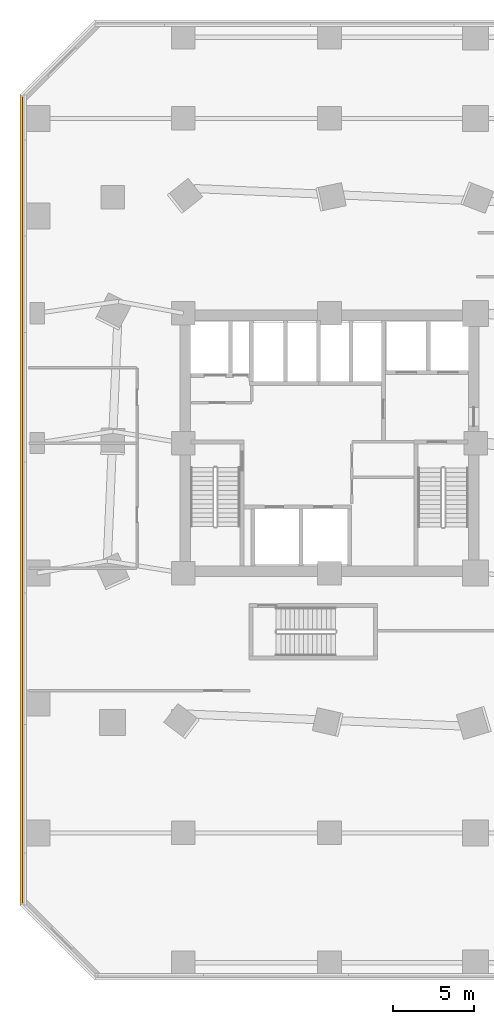
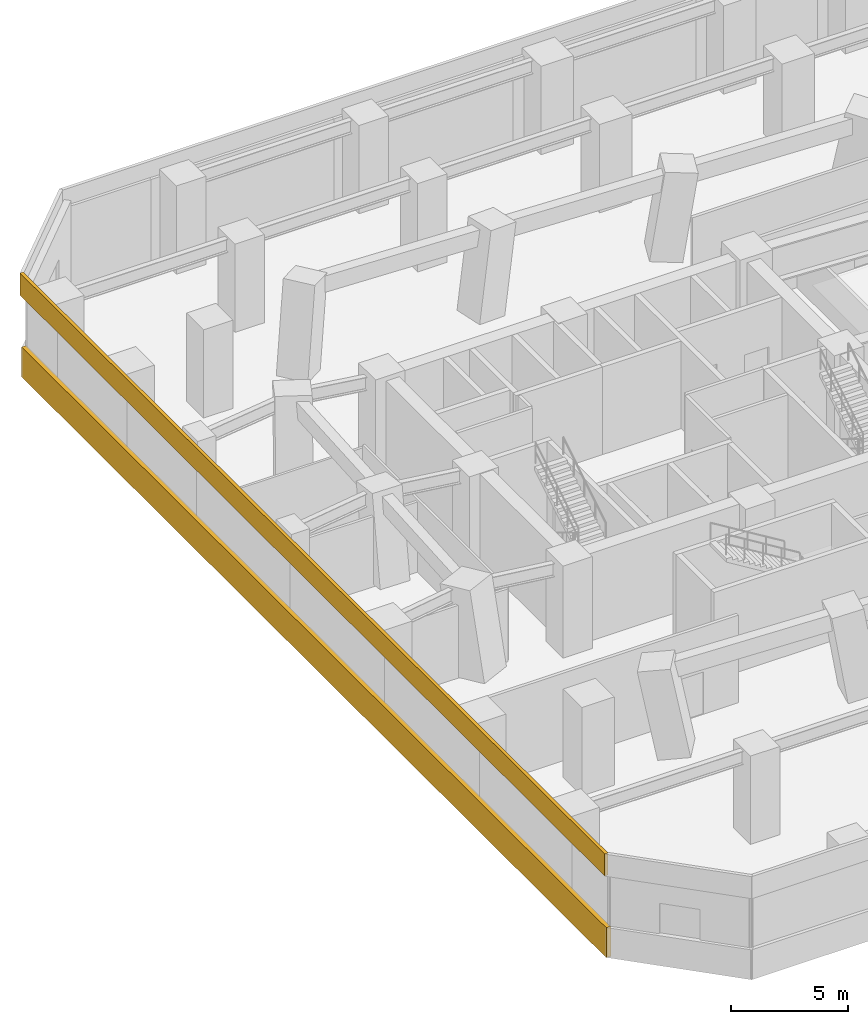
# One storey, part 10 of 14: 2 coverings.
"""IFC4 building model written with IfcOpenShell, lengths in metres."""

from ifc_helpers import new_model, si_unit, direction, frame, origin, origin_2d, place, context, subcontext, project, spatial, rectangle, extrude, source, transform, mapped, material, layer, layer_set, type_object, element, save


model = new_model("IFC4")

# Units and contexts
model_context = context("Model", 3, precision=1e-05, world=origin(), true_north=direction((0.0, 1.0)))
body_context = subcontext(model_context, "Body", "Model", "MODEL_VIEW")
ifc_project = project(units=[si_unit("LENGTHUNIT", "METRE"), si_unit("AREAUNIT", "SQUARE_METRE"), si_unit("VOLUMEUNIT", "CUBIC_METRE"), si_unit("PLANEANGLEUNIT", "RADIAN"), si_unit("MASSUNIT", "GRAM", prefix="KILO")], contexts=[model_context])

# Site, building, storey
site_placement = place(None, origin())
site = spatial("IfcSite", under=ifc_project, at=site_placement, CompositionType="ELEMENT")
building_placement = place(site_placement, origin())
building = spatial("IfcBuilding", under=site, at=building_placement, Name="Torre Montelarca", CompositionType="ELEMENT")
storey_placement = place(building_placement, frame((0.0, 0.0, 28.0)))
storey = spatial("IfcBuildingStorey", under=building, at=storey_placement, Name="L06", CompositionType="ELEMENT", Elevation=28.0)

# Coverings
ifc_material = material(Name="Bush-hammered warm white precast concrete C45/55", Category="concrete")
ifc_layer = layer(ifc_material, 0.139892578125, Name="Bush-hammered warm white precast concrete C45/55", Category="concrete")
ifc_layer_set = layer_set([ifc_layer], Name="Bush-hammered warm white precast concrete C45/55")
covering_type = type_object("IfcCoveringType", Name="COV-TRAY-CLAD", PredefinedType="CLADDING", material=ifc_layer_set)
shared_shape_1 = source(origin(), body_context, "Body", "SweptSolid", [
    extrude(rectangle(XDim=49.919921875, YDim=0.219970703125, at=origin_2d()), origin(), (0.0, 0.0, 1.0), 1.56005859375),
])
covering_1_placement = place(storey_placement, frame((-0.8701171875, 28.5, -0.400146484375), z_axis=(0.0, 0.0, 1.0), x_axis=(0.0, -1.0, 0.0)))
element("IfcCovering", 1, at=covering_1_placement, inside=storey, type_object=covering_type, Name="L06 Architectural White Spandrel Tray Band PODBOT-10", PredefinedType="CLADDING", context=body_context, shape_type="MappedRepresentation", body=[
    mapped(shared_shape_1, transform((0.0, 0.0, 0.0), scale=1.0)),
])
shared_shape_2 = source(origin(), body_context, "Body", "SweptSolid", [
    extrude(rectangle(XDim=49.919921875, YDim=0.159912109375, at=origin_2d()), origin(), (0.0, 0.0, 1.0), 1.14990234375),
])
covering_2_placement = place(storey_placement, frame((-0.97998046875, 28.5, 3.885009765625), z_axis=(0.0, 0.0, 1.0), x_axis=(0.0, -1.0, 0.0)))
element("IfcCovering", 2, at=covering_2_placement, inside=storey, type_object=covering_type, Name="L06 Architectural White Spandrel Tray Band SETCORN-10", PredefinedType="CLADDING", context=body_context, shape_type="MappedRepresentation", body=[
    mapped(shared_shape_2, transform((0.0, 0.0, 0.0), scale=1.0)),
])

save(model, "model.ifc")
